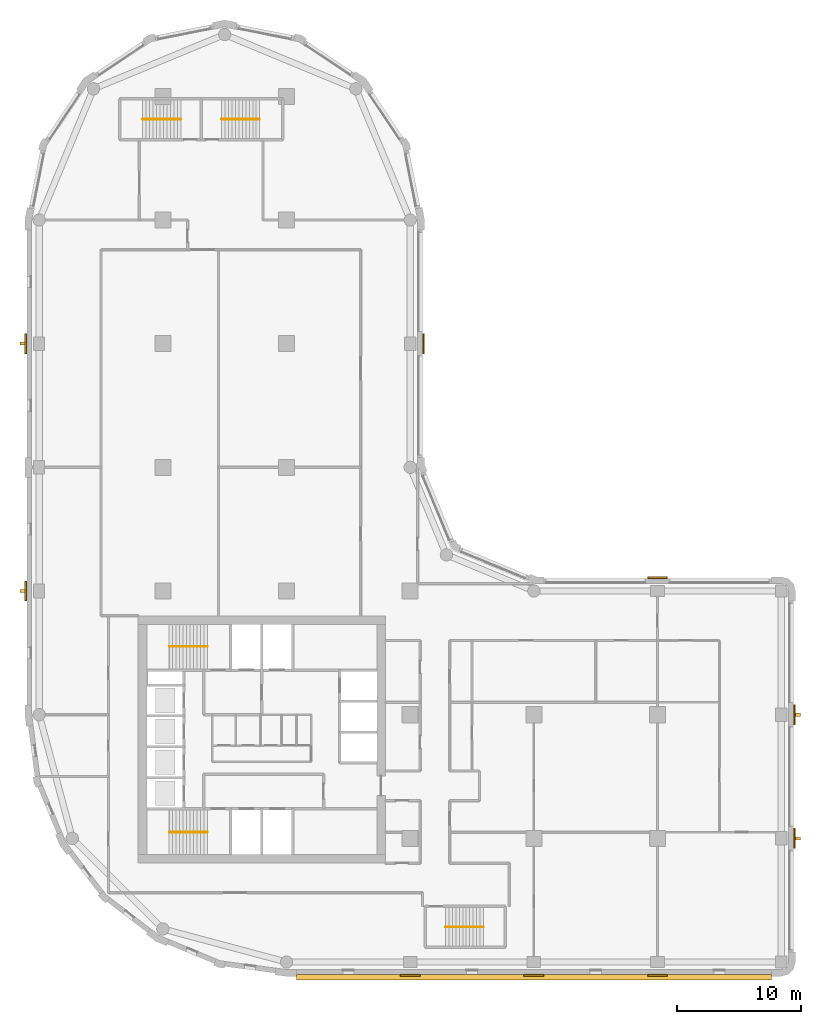
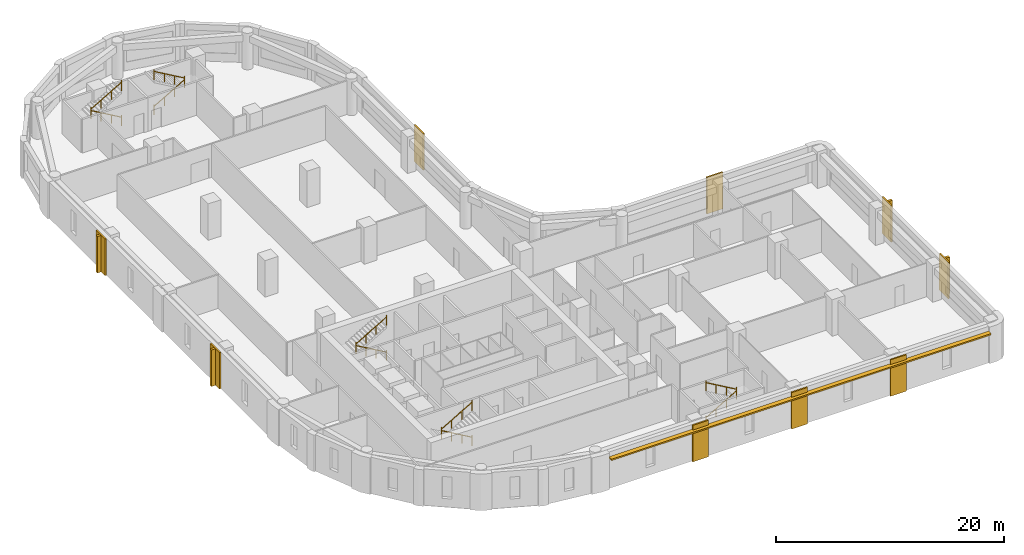
# One storey, part 9 of 10: 10 railings, 9 coverings, 5 shading devices.
"""IFC4 building model written with IfcOpenShell, lengths in metres."""

from ifc_helpers import new_model, si_unit, direction, frame, origin, origin_2d, place, context, subcontext, project, spatial, polyline, rectangle, circle, outline, extrude, material, layer, layer_set, type_object, element, save


model = new_model("IFC4")

# Units and contexts
model_context = context("Model", 3, precision=1e-05, world=origin(), true_north=direction((0.0, 1.0)))
body_context = subcontext(model_context, "Body", "Model", "MODEL_VIEW")
ifc_project = project(units=[si_unit("LENGTHUNIT", "METRE"), si_unit("AREAUNIT", "SQUARE_METRE"), si_unit("VOLUMEUNIT", "CUBIC_METRE"), si_unit("PLANEANGLEUNIT", "RADIAN"), si_unit("MASSUNIT", "GRAM", prefix="KILO")], contexts=[model_context])

# Site, building, storey
site_placement = place(None, origin())
site = spatial("IfcSite", under=ifc_project, at=site_placement, CompositionType="ELEMENT")
building_placement = place(site_placement, origin())
building = spatial("IfcBuilding", under=site, at=building_placement, Name="Qaws Garden Tower", CompositionType="ELEMENT")
storey_placement = place(building_placement, frame((0.0, 0.0, 182.39990234375)))
storey = spatial("IfcBuildingStorey", under=building, at=storey_placement, Name="L44", CompositionType="ELEMENT", Elevation=182.39990234375)

# Coverings
ifc_material_1 = material(Name="Clay facing brick masonry", Category="masonry")
ifc_layer_1 = layer(ifc_material_1, 0.14990234375)
ifc_layer_set_1 = layer_set([ifc_layer_1], Name="Clay facing brick masonry")
covering_type = type_object("IfcCoveringType", Name="Brick pilaster facing 150 x 1600", PredefinedType="CLADDING", material=ifc_layer_set_1)
placement = place(storey_placement, origin())
element("IfcCovering", 1, at=placement, inside=storey, type_object=covering_type, Name="E-L44-pier-01", PredefinedType="CLADDING", context=body_context, shape_type="SweptSolid", body=[
    extrude(outline(polyline([(29.199951171875, -1.0), (30.800048828125, -1.0), (30.800048828125, -1.14990234375), (29.199951171875, -1.14990234375), (29.199951171875, -1.0)])), origin(), (0.0, 0.0, 1.0), 3.900146484375),
])
element("IfcCovering", 2, at=placement, inside=storey, type_object=covering_type, Name="E-L44-pier-02", PredefinedType="CLADDING", context=body_context, shape_type="SweptSolid", body=[
    extrude(outline(polyline([(39.199951171875, -1.0), (40.800048828125, -1.0), (40.800048828125, -1.14990234375), (39.199951171875, -1.14990234375), (39.199951171875, -1.0)])), origin(), (0.0, 0.0, 1.0), 3.900146484375),
])
element("IfcCovering", 3, at=placement, inside=storey, type_object=covering_type, Name="E-L44-pier-03", PredefinedType="CLADDING", context=body_context, shape_type="SweptSolid", body=[
    extrude(outline(polyline([(49.199951171875, -1.0), (50.800048828125, -1.0), (50.800048828125, -1.14990234375), (49.199951171875, -1.14990234375), (49.199951171875, -1.0)])), origin(), (0.0, 0.0, 1.0), 3.900146484375),
])
element("IfcCovering", 4, at=placement, inside=storey, type_object=covering_type, Name="E-L44-pier-05", PredefinedType="CLADDING", context=body_context, shape_type="SweptSolid", body=[
    extrude(outline(polyline([(61.0, 9.199951171875), (61.0, 10.800048828125), (61.14990234375, 10.800048828125), (61.14990234375, 9.199951171875), (61.0, 9.199951171875)])), origin(), (0.0, 0.0, 1.0), 3.900146484375),
])
element("IfcCovering", 5, at=placement, inside=storey, type_object=covering_type, Name="E-L44-pier-06", PredefinedType="CLADDING", context=body_context, shape_type="SweptSolid", body=[
    extrude(outline(polyline([(61.0, 19.199951171875), (61.0, 20.800048828125), (61.14990234375, 20.800048828125), (61.14990234375, 19.199951171875), (61.0, 19.199951171875)])), origin(), (0.0, 0.0, 1.0), 3.900146484375),
])
element("IfcCovering", 6, at=placement, inside=storey, type_object=covering_type, Name="E-L44-pier-08", PredefinedType="CLADDING", context=body_context, shape_type="SweptSolid", body=[
    extrude(outline(polyline([(50.800048828125, 31.0), (49.199951171875, 31.0), (49.199951171875, 31.14990234375), (50.800048828125, 31.14990234375), (50.800048828125, 31.0)])), origin(), (0.0, 0.0, 1.0), 3.900146484375),
])
element("IfcCovering", 7, at=placement, inside=storey, type_object=covering_type, Name="E-L44-pier-12", PredefinedType="CLADDING", context=body_context, shape_type="SweptSolid", body=[
    extrude(outline(polyline([(31.0, 49.199951171875), (31.0, 50.800048828125), (31.14990234375, 50.800048828125), (31.14990234375, 49.199951171875), (31.0, 49.199951171875)])), origin(), (0.0, 0.0, 1.0), 3.900146484375),
])
element("IfcCovering", 8, at=placement, inside=storey, type_object=covering_type, Name="E-L44-pier-22", PredefinedType="CLADDING", context=body_context, shape_type="SweptSolid", body=[
    extrude(outline(polyline([(-1.0, 50.800048828125), (-1.0, 49.199951171875), (-1.14990234375, 49.199951171875), (-1.14990234375, 50.800048828125), (-1.0, 50.800048828125)])), origin(), (0.0, 0.0, 1.0), 3.900146484375),
])
element("IfcCovering", 9, at=placement, inside=storey, type_object=covering_type, Name="E-L44-pier-24", PredefinedType="CLADDING", context=body_context, shape_type="SweptSolid", body=[
    extrude(outline(polyline([(-1.0, 30.800048828125), (-1.0, 29.199951171875), (-1.14990234375, 29.199951171875), (-1.14990234375, 30.800048828125), (-1.0, 30.800048828125)])), origin(), (0.0, 0.0, 1.0), 3.900146484375),
])

# Shading devices
ifc_material_2 = material(Name="Clay facing brick masonry", Category="masonry")
ifc_layer_2 = layer(ifc_material_2, 0.14990234375)
ifc_layer_set_2 = layer_set([ifc_layer_2], Name="Clay facing brick masonry")
shading_device_type_1 = type_object("IfcShadingDeviceType", Name="Brick sunshade band 450 x 150", PredefinedType="JALOUSIE", material=ifc_layer_set_2)
shading_device_placement = place(storey_placement, frame((0.0, 0.0, 3.25)))
element("IfcShadingDevice", 10, at=shading_device_placement, inside=storey, type_object=shading_device_type_1, Name="SUNSHADE 00", PredefinedType="JALOUSIE", context=body_context, shape_type="SweptSolid", body=[
    extrude(outline(polyline([(20.800048828125, -1.0), (20.800048828125, -1.449951171875), (59.199951171875, -1.449951171875), (59.199951171875, -1.0), (50.800048828125, -1.0), (50.800048828125, -1.14990234375), (49.199951171875, -1.14990234375), (49.199951171875, -1.0), (40.800048828125, -1.0), (40.800048828125, -1.14990234375), (39.199951171875, -1.14990234375), (39.199951171875, -1.0), (30.800048828125, -1.0), (30.800048828125, -1.14990234375), (29.199951171875, -1.14990234375), (29.199951171875, -1.0), (20.800048828125, -1.0)])), origin(), (0.0, 0.0, 1.0), 0.150146484375),
])
ifc_material_3 = material(Name="Clay facing brick masonry", Category="masonry")
ifc_layer_3 = layer(ifc_material_3, 0.25)
ifc_layer_set_3 = layer_set([ifc_layer_3], Name="Clay facing brick masonry")
shading_device_type_2 = type_object("IfcShadingDeviceType", Name="Brick-faced fin 250 x 400", PredefinedType="USERDEFINED", material=ifc_layer_set_3)
for number, where, z_axis, x_axis, name in (
    (11, (61.35009765625, 10.0, 0.000244140625), (0.0, 0.0, 1.0), (0.0, 1.0, 0.0), "FIN 05"),
    (12, (61.35009765625, 20.0, 0.000244140625), (0.0, 0.0, 1.0), (0.0, 1.0, 0.0), "FIN 06"),
    (13, (-1.35009765625, 50.0, 0.000244140625), (0.0, 0.0, 1.0), (0.0, -1.0, 0.0), "FIN 22"),
    (14, (-1.35009765625, 30.0, 0.000244140625), (0.0, 0.0, 1.0), (0.0, -1.0, 0.0), "FIN 24"),
):
    element("IfcShadingDevice", number, at=place(storey_placement, frame(where, z_axis=z_axis, x_axis=x_axis)), inside=storey, type_object=shading_device_type_2, Name=name, ObjectType="FIN", PredefinedType="USERDEFINED", context=body_context, shape_type="SweptSolid", body=[
        extrude(rectangle(XDim=0.25, YDim=0.39990234375, at=origin_2d()), origin(), (0.0, 0.0, 1.0), 3.89990234375),
    ])

# Railings
ifc_material_4 = material(Name="Steel S355", Category="steel")
railing_type = type_object("IfcRailingType", Name="Stair handrail 900", PredefinedType="HANDRAIL", material=ifc_material_4)
railing_1_placement = place(storey_placement, frame((13.60009765625, 10.5, 0.16259765625)))
element("IfcRailing", 15, at=railing_1_placement, inside=storey, type_object=railing_type, Name="Stair 1 handrail", PredefinedType="HANDRAIL", context=body_context, shape_type="SweptSolid", body=[
    extrude(circle(Radius=0.02392578125, at=origin_2d()), frame((0.0, 0.0, 0.8759765625), z_axis=(-0.864890721111, 0.0, 0.501960198159), x_axis=(0.0, -1.0, 0.0)), (0.0, 0.0, 1.0), 3.561279296875),
    extrude(circle(Radius=0.02099609375, at=origin_2d()), origin(), (0.0, 0.0, 1.0), 1.06201171875),
    extrude(circle(Radius=0.02099609375, at=origin_2d()), frame((-1.026611328125, 0.0, 0.595947265625)), (0.0, 0.0, 1.0), 0.851806640625),
    extrude(circle(Radius=0.02099609375, at=origin_2d()), frame((-2.053466796875, 0.0, 1.191650390625)), (0.0, 0.0, 1.0), 0.851806640625),
    extrude(circle(Radius=0.02099609375, at=origin_2d()), frame((-3.080078125, 0.0, 1.78759765625)), (0.0, 0.0, 1.0), 1.06201171875),
])
railing_2_placement = place(storey_placement, frame((10.52001953125, 10.5, 2.112548828125)))
element("IfcRailing", 16, at=railing_2_placement, inside=storey, type_object=railing_type, Name="Stair 1 handrail", PredefinedType="HANDRAIL", context=body_context, shape_type="SweptSolid", body=[
    extrude(circle(Radius=0.02392578125, at=origin_2d()), frame((0.0, 0.0, 0.8759765625), z_axis=(0.864890721111, 0.0, 0.501960198159), x_axis=(0.0, 1.0, 0.0)), (0.0, 0.0, 1.0), 3.561279296875),
    extrude(circle(Radius=0.02099609375, at=origin_2d()), origin(), (0.0, 0.0, 1.0), 1.06201171875),
    extrude(circle(Radius=0.02099609375, at=origin_2d()), frame((1.026611328125, 0.0, 0.595947265625)), (0.0, 0.0, 1.0), 0.851806640625),
    extrude(circle(Radius=0.02099609375, at=origin_2d()), frame((2.053466796875, 0.0, 1.191650390625)), (0.0, 0.0, 1.0), 0.851806640625),
    extrude(circle(Radius=0.02099609375, at=origin_2d()), frame((3.080078125, 0.0, 1.78759765625)), (0.0, 0.0, 1.0), 1.06201171875),
])
railing_3_placement = place(storey_placement, frame((13.60009765625, 25.5, 0.16259765625)))
element("IfcRailing", 17, at=railing_3_placement, inside=storey, type_object=railing_type, Name="Stair 4 handrail", PredefinedType="HANDRAIL", context=body_context, shape_type="SweptSolid", body=[
    extrude(circle(Radius=0.02392578125, at=origin_2d()), frame((0.0, 0.0, 0.8759765625), z_axis=(-0.864890721111, 0.0, 0.501960198159), x_axis=(0.0, -1.0, 0.0)), (0.0, 0.0, 1.0), 3.561279296875),
    extrude(circle(Radius=0.02099609375, at=origin_2d()), origin(), (0.0, 0.0, 1.0), 1.06201171875),
    extrude(circle(Radius=0.02099609375, at=origin_2d()), frame((-1.026611328125, 0.0, 0.595947265625)), (0.0, 0.0, 1.0), 0.851806640625),
    extrude(circle(Radius=0.02099609375, at=origin_2d()), frame((-2.053466796875, 0.0, 1.191650390625)), (0.0, 0.0, 1.0), 0.851806640625),
    extrude(circle(Radius=0.02099609375, at=origin_2d()), frame((-3.080078125, 0.0, 1.78759765625)), (0.0, 0.0, 1.0), 1.06201171875),
])
railing_4_placement = place(storey_placement, frame((10.52001953125, 25.5, 2.112548828125)))
element("IfcRailing", 18, at=railing_4_placement, inside=storey, type_object=railing_type, Name="Stair 4 handrail", PredefinedType="HANDRAIL", context=body_context, shape_type="SweptSolid", body=[
    extrude(circle(Radius=0.02392578125, at=origin_2d()), frame((0.0, 0.0, 0.8759765625), z_axis=(0.864890721111, 0.0, 0.501960198159), x_axis=(0.0, 1.0, 0.0)), (0.0, 0.0, 1.0), 3.561279296875),
    extrude(circle(Radius=0.02099609375, at=origin_2d()), origin(), (0.0, 0.0, 1.0), 1.06201171875),
    extrude(circle(Radius=0.02099609375, at=origin_2d()), frame((1.026611328125, 0.0, 0.595947265625)), (0.0, 0.0, 1.0), 0.851806640625),
    extrude(circle(Radius=0.02099609375, at=origin_2d()), frame((2.053466796875, 0.0, 1.191650390625)), (0.0, 0.0, 1.0), 0.851806640625),
    extrude(circle(Radius=0.02099609375, at=origin_2d()), frame((3.080078125, 0.0, 1.78759765625)), (0.0, 0.0, 1.0), 1.06201171875),
])
railing_5_placement = place(storey_placement, frame((32.85009765625, 2.85009765625, 0.16259765625)))
element("IfcRailing", 19, at=railing_5_placement, inside=storey, type_object=railing_type, Name="Stair 5 handrail", PredefinedType="HANDRAIL", context=body_context, shape_type="SweptSolid", body=[
    extrude(circle(Radius=0.02392578125, at=origin_2d()), frame((0.0, 0.0, 0.8759765625), z_axis=(0.864873446163, 0.0, 0.501989962173), x_axis=(0.0, 1.0, 0.0)), (0.0, 0.0, 1.0), 3.56103515625),
    extrude(circle(Radius=0.02099609375, at=origin_2d()), origin(), (0.0, 0.0, 1.0), 1.06201171875),
    extrude(circle(Radius=0.02099609375, at=origin_2d()), frame((1.026611328125, 0.0, 0.595947265625)), (0.0, 0.0, 1.0), 0.851806640625),
    extrude(circle(Radius=0.02099609375, at=origin_2d()), frame((2.05322265625, 0.0, 1.191650390625)), (0.0, 0.0, 1.0), 0.851806640625),
    extrude(circle(Radius=0.02099609375, at=origin_2d()), frame((3.079833984375, 0.0, 1.78759765625)), (0.0, 0.0, 1.0), 1.06201171875),
])
for number, where, name in (
    (20, (35.929931640625, 2.85009765625, 2.112548828125), "Stair 5 handrail"),
    (21, (11.449951171875, 68.14990234375, 0.16259765625), "Stair 6 handrail"),
):
    element("IfcRailing", number, at=place(storey_placement, frame(where)), inside=storey, type_object=railing_type, Name=name, PredefinedType="HANDRAIL", context=body_context, shape_type="SweptSolid", body=[
        extrude(circle(Radius=0.02392578125, at=origin_2d()), frame((0.0, 0.0, 0.8759765625), z_axis=(-0.864873446163, 0.0, 0.501989962173), x_axis=(0.0, -1.0, 0.0)), (0.0, 0.0, 1.0), 3.56103515625),
        extrude(circle(Radius=0.02099609375, at=origin_2d()), origin(), (0.0, 0.0, 1.0), 1.06201171875),
        extrude(circle(Radius=0.02099609375, at=origin_2d()), frame((-1.026611328125, 0.0, 0.595947265625)), (0.0, 0.0, 1.0), 0.851806640625),
        extrude(circle(Radius=0.02099609375, at=origin_2d()), frame((-2.05322265625, 0.0, 1.191650390625)), (0.0, 0.0, 1.0), 0.851806640625),
        extrude(circle(Radius=0.02099609375, at=origin_2d()), frame((-3.079833984375, 0.0, 1.78759765625)), (0.0, 0.0, 1.0), 1.06201171875),
    ])
railing_6_placement = place(storey_placement, frame((8.3701171875, 68.14990234375, 2.112548828125)))
element("IfcRailing", 22, at=railing_6_placement, inside=storey, type_object=railing_type, Name="Stair 6 handrail", PredefinedType="HANDRAIL", context=body_context, shape_type="SweptSolid", body=[
    extrude(circle(Radius=0.02392578125, at=origin_2d()), frame((0.0, 0.0, 0.8759765625), z_axis=(0.864873446163, 0.0, 0.501989962173), x_axis=(0.0, 1.0, 0.0)), (0.0, 0.0, 1.0), 3.56103515625),
    extrude(circle(Radius=0.02099609375, at=origin_2d()), origin(), (0.0, 0.0, 1.0), 1.06201171875),
    extrude(circle(Radius=0.02099609375, at=origin_2d()), frame((1.026611328125, 0.0, 0.595947265625)), (0.0, 0.0, 1.0), 0.851806640625),
    extrude(circle(Radius=0.02099609375, at=origin_2d()), frame((2.05322265625, 0.0, 1.191650390625)), (0.0, 0.0, 1.0), 0.851806640625),
    extrude(circle(Radius=0.02099609375, at=origin_2d()), frame((3.079833984375, 0.0, 1.78759765625)), (0.0, 0.0, 1.0), 1.06201171875),
])
railing_7_placement = place(storey_placement, frame((14.75, 68.14990234375, 0.16259765625)))
element("IfcRailing", 23, at=railing_7_placement, inside=storey, type_object=railing_type, Name="Stair 7 handrail", PredefinedType="HANDRAIL", context=body_context, shape_type="SweptSolid", body=[
    extrude(circle(Radius=0.02392578125, at=origin_2d()), frame((0.0, 0.0, 0.8759765625), z_axis=(0.864890721111, 0.0, 0.501960198159), x_axis=(0.0, 1.0, 0.0)), (0.0, 0.0, 1.0), 3.561279296875),
    extrude(circle(Radius=0.02099609375, at=origin_2d()), origin(), (0.0, 0.0, 1.0), 1.06201171875),
    extrude(circle(Radius=0.02099609375, at=origin_2d()), frame((1.026611328125, 0.0, 0.595947265625)), (0.0, 0.0, 1.0), 0.851806640625),
    extrude(circle(Radius=0.02099609375, at=origin_2d()), frame((2.053466796875, 0.0, 1.191650390625)), (0.0, 0.0, 1.0), 0.851806640625),
    extrude(circle(Radius=0.02099609375, at=origin_2d()), frame((3.080078125, 0.0, 1.78759765625)), (0.0, 0.0, 1.0), 1.06201171875),
])
railing_8_placement = place(storey_placement, frame((17.830078125, 68.14990234375, 2.112548828125)))
element("IfcRailing", 24, at=railing_8_placement, inside=storey, type_object=railing_type, Name="Stair 7 handrail", PredefinedType="HANDRAIL", context=body_context, shape_type="SweptSolid", body=[
    extrude(circle(Radius=0.02392578125, at=origin_2d()), frame((0.0, 0.0, 0.8759765625), z_axis=(-0.864890721111, 0.0, 0.501960198159), x_axis=(0.0, -1.0, 0.0)), (0.0, 0.0, 1.0), 3.561279296875),
    extrude(circle(Radius=0.02099609375, at=origin_2d()), origin(), (0.0, 0.0, 1.0), 1.06201171875),
    extrude(circle(Radius=0.02099609375, at=origin_2d()), frame((-1.026611328125, 0.0, 0.595947265625)), (0.0, 0.0, 1.0), 0.851806640625),
    extrude(circle(Radius=0.02099609375, at=origin_2d()), frame((-2.053466796875, 0.0, 1.191650390625)), (0.0, 0.0, 1.0), 0.851806640625),
    extrude(circle(Radius=0.02099609375, at=origin_2d()), frame((-3.080078125, 0.0, 1.78759765625)), (0.0, 0.0, 1.0), 1.06201171875),
])

save(model, "model.ifc")
